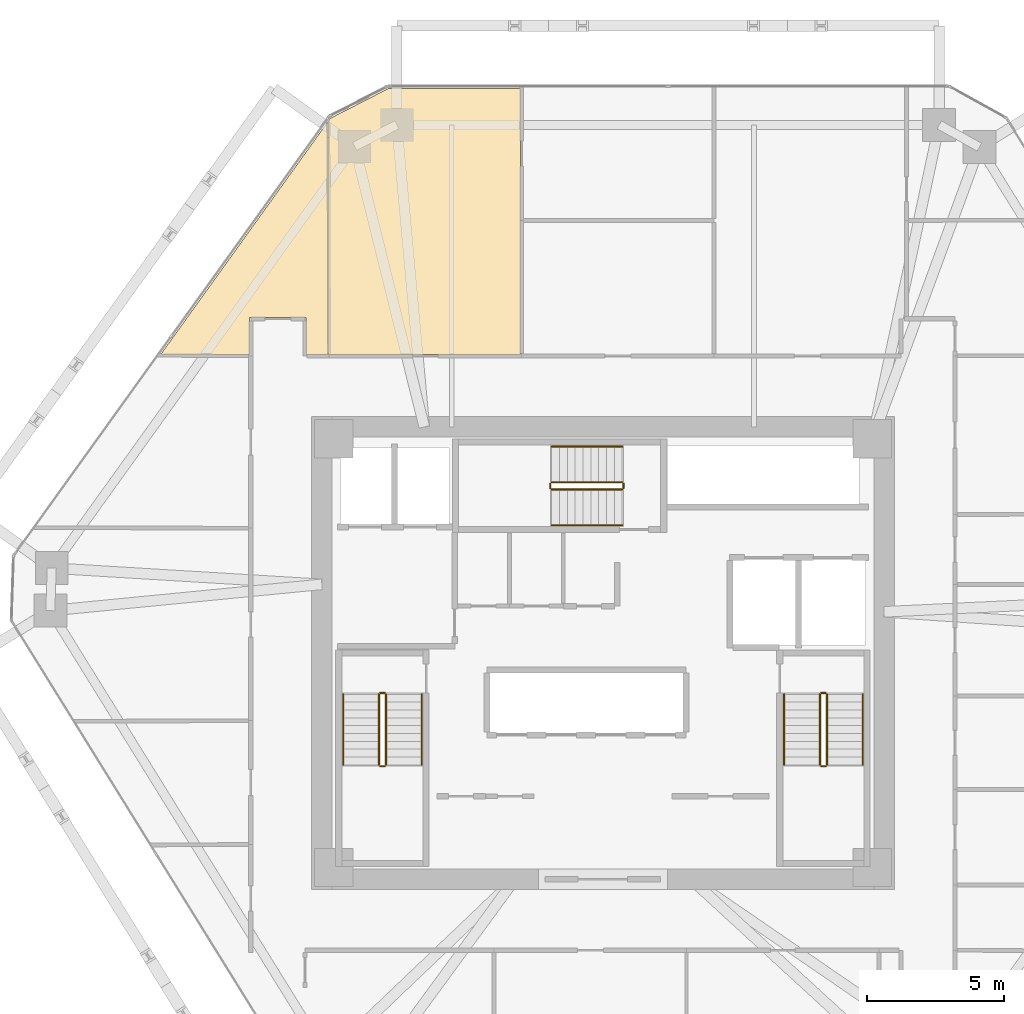
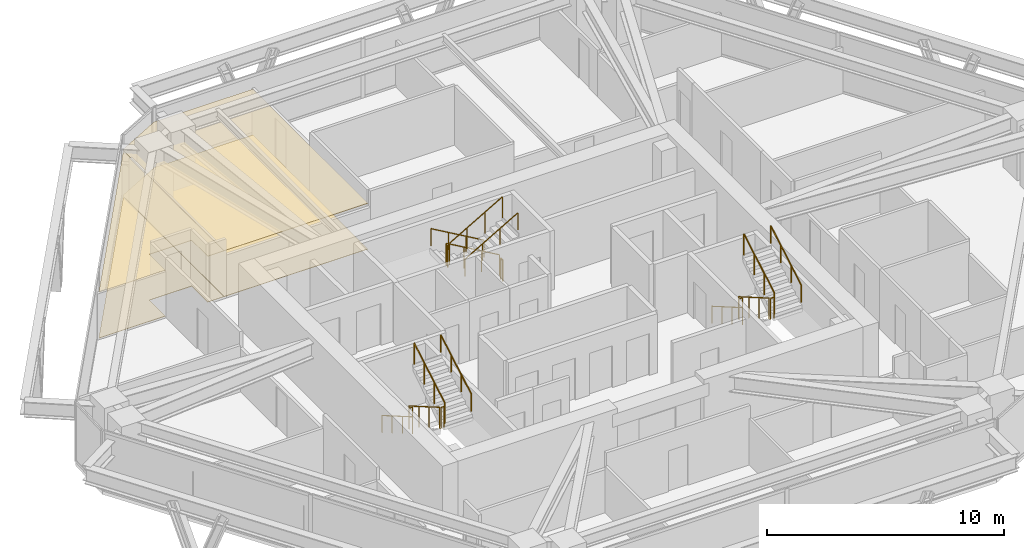
# One storey, part 14 of 14: 18 railings, 4 coverings.
"""IFC4 building model written with IfcOpenShell, lengths in metres."""

from ifc_helpers import new_model, si_unit, direction, frame, origin, origin_2d, place, context, subcontext, project, spatial, polyline, circle, outline, extrude, material, layer, layer_set, type_object, element, save


model = new_model("IFC4")

# Units and contexts
model_context = context("Model", 3, precision=1e-05, world=origin(), true_north=direction((0.0, 1.0)))
body_context = subcontext(model_context, "Body", "Model", "MODEL_VIEW")
ifc_project = project(units=[si_unit("LENGTHUNIT", "METRE"), si_unit("AREAUNIT", "SQUARE_METRE"), si_unit("VOLUMEUNIT", "CUBIC_METRE"), si_unit("PLANEANGLEUNIT", "RADIAN"), si_unit("MASSUNIT", "GRAM", prefix="KILO")], contexts=[model_context])

# Site, building, storey
site_placement = place(None, origin())
site = spatial("IfcSite", under=ifc_project, at=site_placement, CompositionType="ELEMENT")
building_placement = place(site_placement, origin())
building = spatial("IfcBuilding", under=site, at=building_placement, Name="Durnholm Broadcast Tower", CompositionType="ELEMENT")
storey_placement = place(building_placement, frame((0.0, 0.0, 107.39990234375)))
storey = spatial("IfcBuildingStorey", under=building, at=storey_placement, Name="L28", CompositionType="ELEMENT", Elevation=107.39990234375)

# Coverings
ifc_material_1 = material(Name="Mineral Fiber Acoustic Ceiling Tile", Category="concrete")
ifc_layer_1 = layer(ifc_material_1, 0.02490234375)
ifc_layer_set_1 = layer_set([ifc_layer_1], Name="Mineral Fiber Acoustic Ceiling Tile")
covering_type_1 = type_object("IfcCoveringType", Name="COV-CEIL-AC", PredefinedType="CEILING", material=ifc_layer_set_1)
covering_1_placement = place(storey_placement, frame((0.0, 0.0, 2.35009765625)))
element("IfcCovering", 1, at=covering_1_placement, inside=storey, type_object=covering_type_1, Name="L28 VFX Office 1 acoustic ceiling", PredefinedType="CEILING", context=body_context, shape_type="SweptSolid", body=[
    extrude(outline(polyline([(-10.797607421875, 12.204345703125), (-10.797119140625, 12.2041015625), (-10.796875, 12.203857421875), (-10.79638671875, 12.20361328125), (-10.796142578125, 12.203125), (-10.7958984375, 12.202880859375), (-10.795654296875, 12.202392578125), (-10.79541015625, 12.201904296875), (-10.795166015625, 12.201416015625), (-10.795166015625, 12.200927734375), (-10.794921875, 12.200439453125), (-10.794921875, 12.199951171875), (-10.794921875, 10.85498046875), (-10.0048828125, 10.85498046875), (-10.0048828125, 19.32763671875), (-16.091796875, 10.85498046875), (-12.85498046875, 10.85498046875), (-12.85498046875, 12.199951171875), (-12.85498046875, 12.200439453125), (-12.85498046875, 12.200927734375), (-12.854736328125, 12.201416015625), (-12.8544921875, 12.201904296875), (-12.8544921875, 12.202392578125), (-12.854248046875, 12.202880859375), (-12.85400390625, 12.203125), (-12.853515625, 12.20361328125), (-12.853271484375, 12.203857421875), (-12.852783203125, 12.2041015625), (-12.852294921875, 12.204345703125), (-12.851806640625, 12.20458984375), (-12.8515625, 12.204833984375), (-12.85107421875, 12.204833984375), (-12.8505859375, 12.205078125), (-12.85009765625, 12.205078125), (-10.800048828125, 12.205078125), (-10.799560546875, 12.205078125), (-10.799072265625, 12.204833984375), (-10.798583984375, 12.204833984375), (-10.798095703125, 12.20458984375), (-10.797607421875, 12.204345703125)])), origin(), (0.0, 0.0, 1.0), 0.02490234375),
])
covering_2_placement = place(storey_placement, frame((0.0, 0.0, 2.35009765625)))
element("IfcCovering", 2, at=covering_2_placement, inside=storey, type_object=covering_type_1, Name="L28 VFX Office 2 acoustic ceiling", PredefinedType="CEILING", context=body_context, shape_type="SweptSolid", body=[
    extrude(outline(polyline([(-3.0048828125, 20.530029296875), (-7.815673828125, 20.530029296875), (-9.91455078125, 19.453369140625), (-9.9951171875, 19.341552734375), (-9.9951171875, 10.85498046875), (-3.0048828125, 10.85498046875), (-3.0048828125, 20.530029296875)])), origin(), (0.0, 0.0, 1.0), 0.02490234375),
])
ifc_material_2 = material(Name="Engineered Oak Acoustic Broadcast Flooring", Category="wood")
ifc_layer_2 = layer(ifc_material_2, 0.02001953125)
ifc_layer_set_2 = layer_set([ifc_layer_2], Name="Engineered Oak Acoustic Broadcast Flooring")
covering_type_2 = type_object("IfcCoveringType", Name="COV-FLR-OAK", PredefinedType="FLOORING", material=ifc_layer_set_2)
covering_3_placement = place(storey_placement, origin())
element("IfcCovering", 3, at=covering_3_placement, inside=storey, type_object=covering_type_2, Name="L28 VFX Office 1 acoustic oak flooring", PredefinedType="FLOORING", context=body_context, shape_type="SweptSolid", body=[
    extrude(outline(polyline([(-10.797607421875, 12.204345703125), (-10.797119140625, 12.2041015625), (-10.796875, 12.203857421875), (-10.79638671875, 12.20361328125), (-10.796142578125, 12.203125), (-10.7958984375, 12.202880859375), (-10.795654296875, 12.202392578125), (-10.79541015625, 12.201904296875), (-10.795166015625, 12.201416015625), (-10.795166015625, 12.200927734375), (-10.794921875, 12.200439453125), (-10.794921875, 12.199951171875), (-10.794921875, 10.85498046875), (-10.0048828125, 10.85498046875), (-10.0048828125, 19.32763671875), (-16.091796875, 10.85498046875), (-12.85498046875, 10.85498046875), (-12.85498046875, 12.199951171875), (-12.85498046875, 12.200439453125), (-12.85498046875, 12.200927734375), (-12.854736328125, 12.201416015625), (-12.8544921875, 12.201904296875), (-12.8544921875, 12.202392578125), (-12.854248046875, 12.202880859375), (-12.85400390625, 12.203125), (-12.853515625, 12.20361328125), (-12.853271484375, 12.203857421875), (-12.852783203125, 12.2041015625), (-12.852294921875, 12.204345703125), (-12.851806640625, 12.20458984375), (-12.8515625, 12.204833984375), (-12.85107421875, 12.204833984375), (-12.8505859375, 12.205078125), (-12.85009765625, 12.205078125), (-10.800048828125, 12.205078125), (-10.799560546875, 12.205078125), (-10.799072265625, 12.204833984375), (-10.798583984375, 12.204833984375), (-10.798095703125, 12.20458984375), (-10.797607421875, 12.204345703125)])), origin(), (0.0, 0.0, 1.0), 0.02001953125),
])
covering_4_placement = place(storey_placement, origin())
element("IfcCovering", 4, at=covering_4_placement, inside=storey, type_object=covering_type_2, Name="L28 VFX Office 2 acoustic oak flooring", PredefinedType="FLOORING", context=body_context, shape_type="SweptSolid", body=[
    extrude(outline(polyline([(-3.0048828125, 20.530029296875), (-7.815673828125, 20.530029296875), (-9.91455078125, 19.453369140625), (-9.9951171875, 19.341552734375), (-9.9951171875, 10.85498046875), (-3.0048828125, 10.85498046875), (-3.0048828125, 20.530029296875)])), origin(), (0.0, 0.0, 1.0), 0.02001953125),
])

# Railings
ifc_material_3 = material(Name="Painted Tubular Steel Stair Guardrail", Category="steel")
railing_type_1 = type_object("IfcRailingType", Name="RAIL-ST-GRD", PredefinedType="GUARDRAIL", material=ifc_material_3)
railing_1_placement = place(storey_placement, frame((-8.14990234375, -1.5, 0.1650390625)))
element("IfcRailing", 5, at=railing_1_placement, inside=storey, type_object=railing_type_1, Name="L28 ST-1 stair guard 1", PredefinedType="GUARDRAIL", context=body_context, shape_type="SweptSolid", body=[
    extrude(circle(Radius=0.02392578125, at=origin_2d()), frame((0.0, 0.0, 1.076171875), z_axis=(0.0, -0.865405606168, 0.501071987656), x_axis=(1.0, 0.0, 0.0)), (0.0, 0.0, 1.0), 2.9638671875),
    extrude(circle(Radius=0.02099609375, at=origin_2d()), origin(), (0.0, 0.0, 1.0), 1.052001953125),
    extrude(circle(Radius=0.02099609375, at=origin_2d()), frame((0.0, -0.85498046875, 0.4951171875)), (0.0, 0.0, 1.0), 1.052001953125),
    extrude(circle(Radius=0.02099609375, at=origin_2d()), frame((0.0, -1.7099609375, 0.989990234375)), (0.0, 0.0, 1.0), 1.052001953125),
    extrude(circle(Radius=0.02099609375, at=origin_2d()), frame((0.0, -2.56494140625, 1.485107421875)), (0.0, 0.0, 1.0), 1.052001953125),
])
railing_2_placement = place(storey_placement, frame((-8.10009765625, -4.114990234375, 1.650146484375)))
element("IfcRailing", 6, at=railing_2_placement, inside=storey, type_object=railing_type_1, Name="L28 ST-1 stair guard 2", PredefinedType="GUARDRAIL", context=body_context, shape_type="SweptSolid", body=[
    extrude(circle(Radius=0.02392578125, at=origin_2d()), frame((0.0, 0.0, 1.076171875), z_axis=(1.0, 0.0, 0.0), x_axis=(0.0, 1.0, 0.0)), (0.0, 0.0, 1.0), 0.16015625),
    extrude(circle(Radius=0.02099609375, at=origin_2d()), origin(), (0.0, 0.0, 1.0), 1.052001953125),
    extrude(circle(Radius=0.02099609375, at=origin_2d()), frame((0.16015625, 0.0, 0.0)), (0.0, 0.0, 1.0), 1.052001953125),
])
railing_3_placement = place(storey_placement, frame((-7.889892578125, -4.06494140625, 1.815185546875)))
element("IfcRailing", 7, at=railing_3_placement, inside=storey, type_object=railing_type_1, Name="L28 ST-1 stair guard 3", PredefinedType="GUARDRAIL", context=body_context, shape_type="SweptSolid", body=[
    extrude(circle(Radius=0.02392578125, at=origin_2d()), frame((0.0, 0.0, 1.076171875), z_axis=(0.0, 0.865441324677, 0.50101029285), x_axis=(-1.0, 0.0, 0.0)), (0.0, 0.0, 1.0), 2.963623046875),
    extrude(circle(Radius=0.02099609375, at=origin_2d()), origin(), (0.0, 0.0, 1.0), 1.052001953125),
    extrude(circle(Radius=0.02099609375, at=origin_2d()), frame((0.0, 0.85498046875, 0.494873046875)), (0.0, 0.0, 1.0), 1.052001953125),
    extrude(circle(Radius=0.02099609375, at=origin_2d()), frame((0.0, 1.7099609375, 0.989990234375)), (0.0, 0.0, 1.0), 1.052001953125),
    extrude(circle(Radius=0.02099609375, at=origin_2d()), frame((0.0, 2.56494140625, 1.48486328125)), (0.0, 0.0, 1.0), 1.052001953125),
])
railing_4_placement = place(storey_placement, frame((-8.10009765625, -1.449951171875, 0.0)))
element("IfcRailing", 8, at=railing_4_placement, inside=storey, type_object=railing_type_1, Name="L28 ST-1 stair guard 4", PredefinedType="GUARDRAIL", context=body_context, shape_type="SweptSolid", body=[
    extrude(circle(Radius=0.02392578125, at=origin_2d()), frame((0.0, 0.0, 1.076171875), z_axis=(1.0, 0.0, 0.0), x_axis=(0.0, 1.0, 0.0)), (0.0, 0.0, 1.0), 0.16015625),
    extrude(circle(Radius=0.02099609375, at=origin_2d()), origin(), (0.0, 0.0, 1.0), 1.052001953125),
    extrude(circle(Radius=0.02099609375, at=origin_2d()), frame((0.16015625, 0.0, 0.0)), (0.0, 0.0, 1.0), 1.052001953125),
])
railing_5_placement = place(storey_placement, frame((7.889892578125, -1.5, 0.1650390625)))
element("IfcRailing", 9, at=railing_5_placement, inside=storey, type_object=railing_type_1, Name="L28 ST-2 stair guard 1", PredefinedType="GUARDRAIL", context=body_context, shape_type="SweptSolid", body=[
    extrude(circle(Radius=0.02392578125, at=origin_2d()), frame((0.0, 0.0, 1.076171875), z_axis=(0.0, -0.865405606168, 0.501071987656), x_axis=(1.0, 0.0, 0.0)), (0.0, 0.0, 1.0), 2.9638671875),
    extrude(circle(Radius=0.02099609375, at=origin_2d()), origin(), (0.0, 0.0, 1.0), 1.052001953125),
    extrude(circle(Radius=0.02099609375, at=origin_2d()), frame((0.0, -0.85498046875, 0.4951171875)), (0.0, 0.0, 1.0), 1.052001953125),
    extrude(circle(Radius=0.02099609375, at=origin_2d()), frame((0.0, -1.7099609375, 0.989990234375)), (0.0, 0.0, 1.0), 1.052001953125),
    extrude(circle(Radius=0.02099609375, at=origin_2d()), frame((0.0, -2.56494140625, 1.485107421875)), (0.0, 0.0, 1.0), 1.052001953125),
])
railing_6_placement = place(storey_placement, frame((7.93994140625, -4.114990234375, 1.650146484375)))
element("IfcRailing", 10, at=railing_6_placement, inside=storey, type_object=railing_type_1, Name="L28 ST-2 stair guard 2", PredefinedType="GUARDRAIL", context=body_context, shape_type="SweptSolid", body=[
    extrude(circle(Radius=0.02392578125, at=origin_2d()), frame((0.0, 0.0, 1.076171875), z_axis=(1.0, 0.0, 0.0), x_axis=(0.0, 1.0, 0.0)), (0.0, 0.0, 1.0), 0.16015625),
    extrude(circle(Radius=0.02099609375, at=origin_2d()), origin(), (0.0, 0.0, 1.0), 1.052001953125),
    extrude(circle(Radius=0.02099609375, at=origin_2d()), frame((0.16015625, 0.0, 0.0)), (0.0, 0.0, 1.0), 1.052001953125),
])
railing_7_placement = place(storey_placement, frame((8.14990234375, -4.06494140625, 1.815185546875)))
element("IfcRailing", 11, at=railing_7_placement, inside=storey, type_object=railing_type_1, Name="L28 ST-2 stair guard 3", PredefinedType="GUARDRAIL", context=body_context, shape_type="SweptSolid", body=[
    extrude(circle(Radius=0.02392578125, at=origin_2d()), frame((0.0, 0.0, 1.076171875), z_axis=(0.0, 0.865441324677, 0.50101029285), x_axis=(-1.0, 0.0, 0.0)), (0.0, 0.0, 1.0), 2.963623046875),
    extrude(circle(Radius=0.02099609375, at=origin_2d()), origin(), (0.0, 0.0, 1.0), 1.052001953125),
    extrude(circle(Radius=0.02099609375, at=origin_2d()), frame((0.0, 0.85498046875, 0.494873046875)), (0.0, 0.0, 1.0), 1.052001953125),
    extrude(circle(Radius=0.02099609375, at=origin_2d()), frame((0.0, 1.7099609375, 0.989990234375)), (0.0, 0.0, 1.0), 1.052001953125),
    extrude(circle(Radius=0.02099609375, at=origin_2d()), frame((0.0, 2.56494140625, 1.48486328125)), (0.0, 0.0, 1.0), 1.052001953125),
])
railing_8_placement = place(storey_placement, frame((7.93994140625, -1.449951171875, 0.0)))
element("IfcRailing", 12, at=railing_8_placement, inside=storey, type_object=railing_type_1, Name="L28 ST-2 stair guard 4", PredefinedType="GUARDRAIL", context=body_context, shape_type="SweptSolid", body=[
    extrude(circle(Radius=0.02392578125, at=origin_2d()), frame((0.0, 0.0, 1.076171875), z_axis=(1.0, 0.0, 0.0), x_axis=(0.0, 1.0, 0.0)), (0.0, 0.0, 1.0), 0.16015625),
    extrude(circle(Radius=0.02099609375, at=origin_2d()), origin(), (0.0, 0.0, 1.0), 1.052001953125),
    extrude(circle(Radius=0.02099609375, at=origin_2d()), frame((0.16015625, 0.0, 0.0)), (0.0, 0.0, 1.0), 1.052001953125),
])
railing_9_placement = place(storey_placement, frame((0.699951171875, 6.2099609375, 0.1650390625)))
element("IfcRailing", 13, at=railing_9_placement, inside=storey, type_object=railing_type_1, Name="L28 ST-3 stair guard 1", PredefinedType="GUARDRAIL", context=body_context, shape_type="SweptSolid", body=[
    extrude(circle(Radius=0.02392578125, at=origin_2d()), frame((0.0, 0.0, 1.076171875), z_axis=(-0.865405606168, 0.0, 0.501071987656), x_axis=(0.0, -1.0, 0.0)), (0.0, 0.0, 1.0), 2.9638671875),
    extrude(circle(Radius=0.02099609375, at=origin_2d()), origin(), (0.0, 0.0, 1.0), 1.052001953125),
    extrude(circle(Radius=0.02099609375, at=origin_2d()), frame((-0.85498046875, 0.0, 0.4951171875)), (0.0, 0.0, 1.0), 1.052001953125),
    extrude(circle(Radius=0.02099609375, at=origin_2d()), frame((-1.7099609375, 0.0, 0.989990234375)), (0.0, 0.0, 1.0), 1.052001953125),
    extrude(circle(Radius=0.02099609375, at=origin_2d()), frame((-2.56494140625, 0.0, 1.485107421875)), (0.0, 0.0, 1.0), 1.052001953125),
])
railing_10_placement = place(storey_placement, frame((-1.9150390625, 6.159912109375, 1.650146484375)))
element("IfcRailing", 14, at=railing_10_placement, inside=storey, type_object=railing_type_1, Name="L28 ST-3 stair guard 2", PredefinedType="GUARDRAIL", context=body_context, shape_type="SweptSolid", body=[
    extrude(circle(Radius=0.02392578125, at=origin_2d()), frame((0.0, 0.0, 1.076171875), z_axis=(0.0, -1.0, 0.0), x_axis=(1.0, 0.0, 0.0)), (0.0, 0.0, 1.0), 0.159912109375),
    extrude(circle(Radius=0.02099609375, at=origin_2d()), origin(), (0.0, 0.0, 1.0), 1.052001953125),
    extrude(circle(Radius=0.02099609375, at=origin_2d()), frame((0.0, -0.159912109375, 0.0)), (0.0, 0.0, 1.0), 1.052001953125),
])
railing_11_placement = place(storey_placement, frame((-1.864990234375, 5.949951171875, 1.815185546875)))
element("IfcRailing", 15, at=railing_11_placement, inside=storey, type_object=railing_type_1, Name="L28 ST-3 stair guard 3", PredefinedType="GUARDRAIL", context=body_context, shape_type="SweptSolid", body=[
    extrude(circle(Radius=0.02392578125, at=origin_2d()), frame((0.0, 0.0, 1.076171875), z_axis=(0.865441324677, 0.0, 0.50101029285), x_axis=(0.0, 1.0, 0.0)), (0.0, 0.0, 1.0), 2.963623046875),
    extrude(circle(Radius=0.02099609375, at=origin_2d()), origin(), (0.0, 0.0, 1.0), 1.052001953125),
    extrude(circle(Radius=0.02099609375, at=origin_2d()), frame((0.85498046875, 0.0, 0.494873046875)), (0.0, 0.0, 1.0), 1.052001953125),
    extrude(circle(Radius=0.02099609375, at=origin_2d()), frame((1.7099609375, 0.0, 0.989990234375)), (0.0, 0.0, 1.0), 1.052001953125),
    extrude(circle(Radius=0.02099609375, at=origin_2d()), frame((2.56494140625, 0.0, 1.48486328125)), (0.0, 0.0, 1.0), 1.052001953125),
])
railing_12_placement = place(storey_placement, frame((0.75, 6.159912109375, 0.0)))
element("IfcRailing", 16, at=railing_12_placement, inside=storey, type_object=railing_type_1, Name="L28 ST-3 stair guard 4", PredefinedType="GUARDRAIL", context=body_context, shape_type="SweptSolid", body=[
    extrude(circle(Radius=0.02392578125, at=origin_2d()), frame((0.0, 0.0, 1.076171875), z_axis=(0.0, -1.0, 0.0), x_axis=(1.0, 0.0, 0.0)), (0.0, 0.0, 1.0), 0.159912109375),
    extrude(circle(Radius=0.02099609375, at=origin_2d()), origin(), (0.0, 0.0, 1.0), 1.052001953125),
    extrude(circle(Radius=0.02099609375, at=origin_2d()), frame((0.0, -0.159912109375, 0.0)), (0.0, 0.0, 1.0), 1.052001953125),
])
ifc_material_4 = material(Name="Brushed Stainless Steel Handrail", Category="steel")
railing_type_2 = type_object("IfcRailingType", Name="RAIL-ST-HND", PredefinedType="HANDRAIL", material=ifc_material_4)
railing_13_placement = place(storey_placement, frame((-9.449951171875, -1.5, 0.330078125)))
element("IfcRailing", 17, at=railing_13_placement, inside=storey, type_object=railing_type_2, Name="L28 ST-1 stair handrail 1", PredefinedType="HANDRAIL", context=body_context, shape_type="SweptSolid", body=[
    extrude(circle(Radius=0.02392578125, at=origin_2d()), frame((0.0, 0.0, 0.8759765625), z_axis=(0.0, -0.865405606168, 0.501071987656), x_axis=(1.0, 0.0, 0.0)), (0.0, 0.0, 1.0), 2.9638671875),
    extrude(circle(Radius=0.02099609375, at=origin_2d()), origin(), (0.0, 0.0, 1.0), 0.851806640625),
    extrude(circle(Radius=0.02099609375, at=origin_2d()), frame((0.0, -0.85498046875, 0.4951171875)), (0.0, 0.0, 1.0), 0.851806640625),
    extrude(circle(Radius=0.02099609375, at=origin_2d()), frame((0.0, -1.7099609375, 0.989990234375)), (0.0, 0.0, 1.0), 0.851806640625),
    extrude(circle(Radius=0.02099609375, at=origin_2d()), frame((0.0, -2.56494140625, 1.485107421875)), (0.0, 0.0, 1.0), 0.851806640625),
])
railing_14_placement = place(storey_placement, frame((-6.590087890625, -4.06494140625, 1.97998046875)))
element("IfcRailing", 18, at=railing_14_placement, inside=storey, type_object=railing_type_2, Name="L28 ST-1 stair handrail 2", PredefinedType="HANDRAIL", context=body_context, shape_type="SweptSolid", body=[
    extrude(circle(Radius=0.02392578125, at=origin_2d()), frame((0.0, 0.0, 0.8759765625), z_axis=(0.0, 0.865405606168, 0.501071987656), x_axis=(-1.0, 0.0, 0.0)), (0.0, 0.0, 1.0), 2.9638671875),
    extrude(circle(Radius=0.02099609375, at=origin_2d()), origin(), (0.0, 0.0, 1.0), 0.851806640625),
    extrude(circle(Radius=0.02099609375, at=origin_2d()), frame((0.0, 0.85498046875, 0.4951171875)), (0.0, 0.0, 1.0), 0.851806640625),
    extrude(circle(Radius=0.02099609375, at=origin_2d()), frame((0.0, 1.7099609375, 0.989990234375)), (0.0, 0.0, 1.0), 0.851806640625),
    extrude(circle(Radius=0.02099609375, at=origin_2d()), frame((0.0, 2.56494140625, 1.485107421875)), (0.0, 0.0, 1.0), 0.851806640625),
])
railing_15_placement = place(storey_placement, frame((6.590087890625, -1.5, 0.330078125)))
element("IfcRailing", 19, at=railing_15_placement, inside=storey, type_object=railing_type_2, Name="L28 ST-2 stair handrail 1", PredefinedType="HANDRAIL", context=body_context, shape_type="SweptSolid", body=[
    extrude(circle(Radius=0.02392578125, at=origin_2d()), frame((0.0, 0.0, 0.8759765625), z_axis=(0.0, -0.865405606168, 0.501071987656), x_axis=(1.0, 0.0, 0.0)), (0.0, 0.0, 1.0), 2.9638671875),
    extrude(circle(Radius=0.02099609375, at=origin_2d()), origin(), (0.0, 0.0, 1.0), 0.851806640625),
    extrude(circle(Radius=0.02099609375, at=origin_2d()), frame((0.0, -0.85498046875, 0.4951171875)), (0.0, 0.0, 1.0), 0.851806640625),
    extrude(circle(Radius=0.02099609375, at=origin_2d()), frame((0.0, -1.7099609375, 0.989990234375)), (0.0, 0.0, 1.0), 0.851806640625),
    extrude(circle(Radius=0.02099609375, at=origin_2d()), frame((0.0, -2.56494140625, 1.485107421875)), (0.0, 0.0, 1.0), 0.851806640625),
])
railing_16_placement = place(storey_placement, frame((9.449951171875, -4.06494140625, 1.97998046875)))
element("IfcRailing", 20, at=railing_16_placement, inside=storey, type_object=railing_type_2, Name="L28 ST-2 stair handrail 2", PredefinedType="HANDRAIL", context=body_context, shape_type="SweptSolid", body=[
    extrude(circle(Radius=0.02392578125, at=origin_2d()), frame((0.0, 0.0, 0.8759765625), z_axis=(0.0, 0.865405606168, 0.501071987656), x_axis=(-1.0, 0.0, 0.0)), (0.0, 0.0, 1.0), 2.9638671875),
    extrude(circle(Radius=0.02099609375, at=origin_2d()), origin(), (0.0, 0.0, 1.0), 0.851806640625),
    extrude(circle(Radius=0.02099609375, at=origin_2d()), frame((0.0, 0.85498046875, 0.4951171875)), (0.0, 0.0, 1.0), 0.851806640625),
    extrude(circle(Radius=0.02099609375, at=origin_2d()), frame((0.0, 1.7099609375, 0.989990234375)), (0.0, 0.0, 1.0), 0.851806640625),
    extrude(circle(Radius=0.02099609375, at=origin_2d()), frame((0.0, 2.56494140625, 1.485107421875)), (0.0, 0.0, 1.0), 0.851806640625),
])
railing_17_placement = place(storey_placement, frame((0.699951171875, 7.510009765625, 0.330078125)))
element("IfcRailing", 21, at=railing_17_placement, inside=storey, type_object=railing_type_2, Name="L28 ST-3 stair handrail 1", PredefinedType="HANDRAIL", context=body_context, shape_type="SweptSolid", body=[
    extrude(circle(Radius=0.02392578125, at=origin_2d()), frame((0.0, 0.0, 0.8759765625), z_axis=(-0.865405606168, 0.0, 0.501071987656), x_axis=(0.0, -1.0, 0.0)), (0.0, 0.0, 1.0), 2.9638671875),
    extrude(circle(Radius=0.02099609375, at=origin_2d()), origin(), (0.0, 0.0, 1.0), 0.851806640625),
    extrude(circle(Radius=0.02099609375, at=origin_2d()), frame((-0.85498046875, 0.0, 0.4951171875)), (0.0, 0.0, 1.0), 0.851806640625),
    extrude(circle(Radius=0.02099609375, at=origin_2d()), frame((-1.7099609375, 0.0, 0.989990234375)), (0.0, 0.0, 1.0), 0.851806640625),
    extrude(circle(Radius=0.02099609375, at=origin_2d()), frame((-2.56494140625, 0.0, 1.485107421875)), (0.0, 0.0, 1.0), 0.851806640625),
])
railing_18_placement = place(storey_placement, frame((-1.864990234375, 4.64990234375, 1.97998046875)))
element("IfcRailing", 22, at=railing_18_placement, inside=storey, type_object=railing_type_2, Name="L28 ST-3 stair handrail 2", PredefinedType="HANDRAIL", context=body_context, shape_type="SweptSolid", body=[
    extrude(circle(Radius=0.02392578125, at=origin_2d()), frame((0.0, 0.0, 0.8759765625), z_axis=(0.865405606168, 0.0, 0.501071987656), x_axis=(0.0, 1.0, 0.0)), (0.0, 0.0, 1.0), 2.9638671875),
    extrude(circle(Radius=0.02099609375, at=origin_2d()), origin(), (0.0, 0.0, 1.0), 0.851806640625),
    extrude(circle(Radius=0.02099609375, at=origin_2d()), frame((0.85498046875, 0.0, 0.4951171875)), (0.0, 0.0, 1.0), 0.851806640625),
    extrude(circle(Radius=0.02099609375, at=origin_2d()), frame((1.7099609375, 0.0, 0.989990234375)), (0.0, 0.0, 1.0), 0.851806640625),
    extrude(circle(Radius=0.02099609375, at=origin_2d()), frame((2.56494140625, 0.0, 1.485107421875)), (0.0, 0.0, 1.0), 0.851806640625),
])

save(model, "model.ifc")
